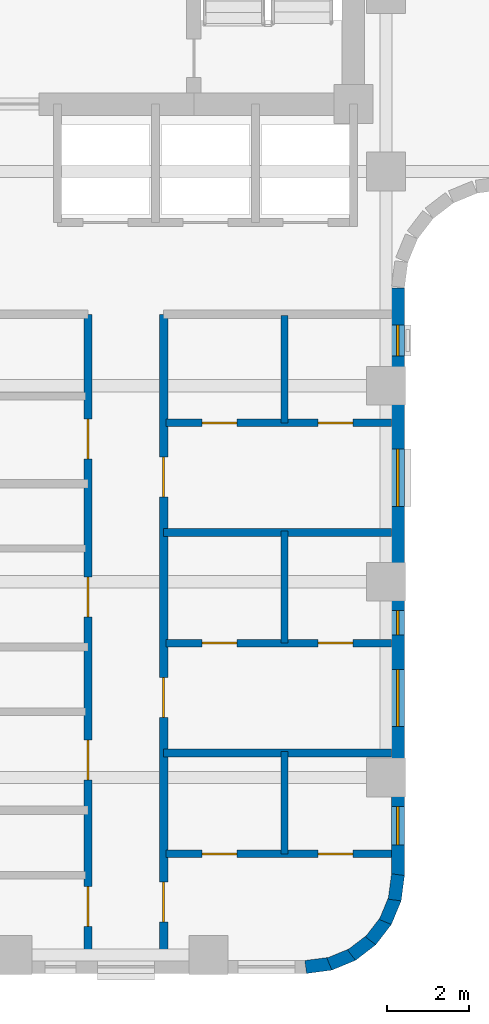
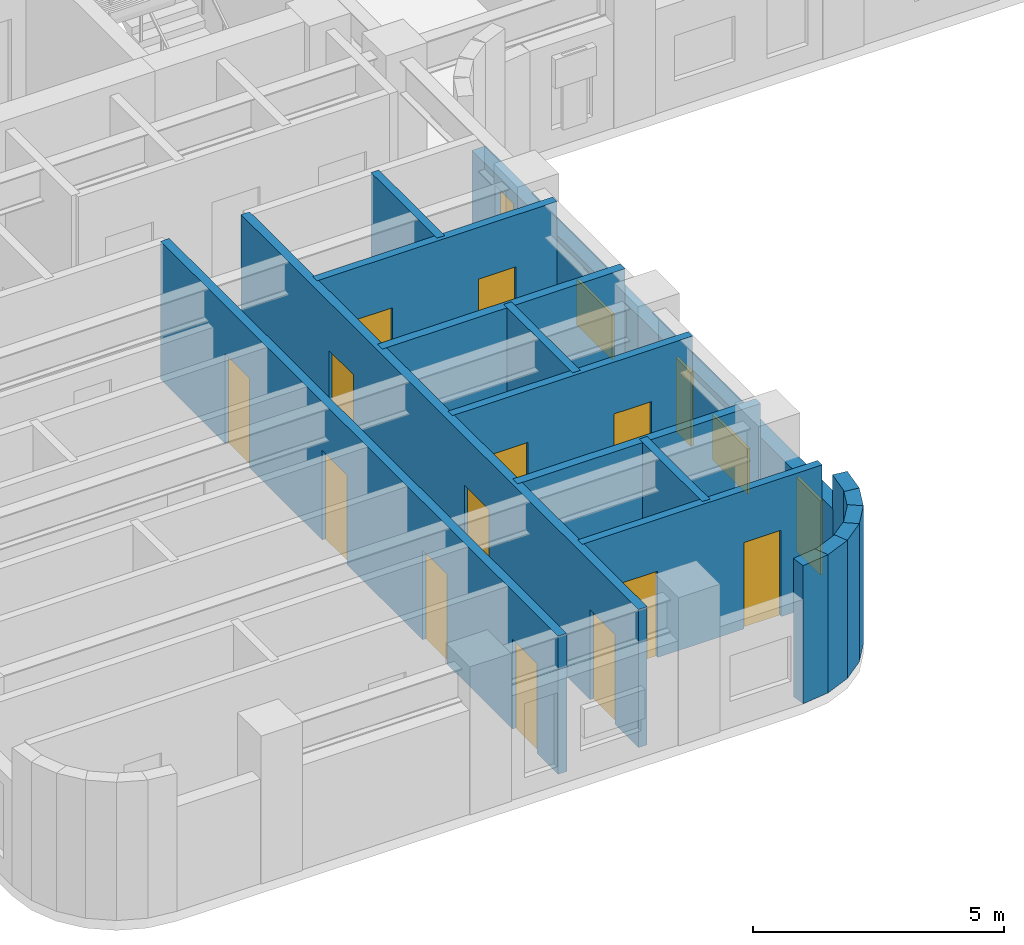
# One storey, part 3 of 10: 17 walls, 13 doors, 5 windows, 18 openings.
"""IFC4 building model written with IfcOpenShell, lengths in metres."""

from ifc_helpers import new_model, si_unit, direction, frame, frame_2d, origin, place, context, subcontext, project, spatial, rectangle, extrude, material, layer, layer_set, type_object, element, fill, save


model = new_model("IFC4")

# Units and contexts
model_context = context("Model", 3, precision=1e-05, world=origin(), true_north=direction((0.0, 1.0)))
body_context = subcontext(model_context, "Body", "Model", "MODEL_VIEW")
ifc_project = project(units=[si_unit("LENGTHUNIT", "METRE"), si_unit("AREAUNIT", "SQUARE_METRE"), si_unit("VOLUMEUNIT", "CUBIC_METRE"), si_unit("PLANEANGLEUNIT", "RADIAN"), si_unit("MASSUNIT", "GRAM", prefix="KILO")], contexts=[model_context])

# Site, building, storey
site_placement = place(None, origin())
site = spatial("IfcSite", under=ifc_project, at=site_placement, CompositionType="ELEMENT")
building_placement = place(site_placement, origin())
building = spatial("IfcBuilding", under=site, at=building_placement, Name="Orvandelia Arch Residences", CompositionType="ELEMENT")
storey_placement = place(building_placement, frame((0.0, 0.0, 110.800048828125)))
storey = spatial("IfcBuildingStorey", under=building, at=storey_placement, Name="L28", CompositionType="ELEMENT", Elevation=110.800048828125)

# Wall, openings, doors
ifc_material_1 = material(Name="Fire-Rated Corridor Partition")
ifc_layer_1 = layer(ifc_material_1, 0.199951171875, Name="Fire-Rated Corridor Partition")
ifc_layer_set_1 = layer_set([ifc_layer_1], Name="Fire-Rated Corridor Partition")
wall_type_1 = type_object("IfcWallType", Name="WL-CORR-200", PredefinedType="PARTITIONING", material=ifc_layer_set_1)
wall_1_placement = place(storey_placement, frame((16.25, 9.919921875, 0.0), z_axis=(0.0, 0.0, 1.0), x_axis=(0.0, 1.0, 0.0)))
wall_1 = element("IfcWall", 1, at=wall_1_placement, inside=storey, type_object=wall_type_1, Name="Interior Partition Wall WL-L28-WC-W", PredefinedType="PARTITIONING", context=body_context, shape_type="SweptSolid", body=[
    extrude(rectangle(XDim=15.830078125, YDim=0.199951171875, at=frame_2d((7.9150390625, 0.0))), origin(), (0.0, 0.0, 1.0), 3.35986328125),
])
opening_1_placement = place(wall_1_placement, frame((0.8349609375, 0.0, 0.0)))
opening_1 = element("IfcOpeningElement", 2, at=opening_1_placement, cuts=wall_1, Name="Opening D1", PredefinedType="OPENING", context=body_context, shape_type="SweptSolid", body=[
    extrude(rectangle(XDim=0.97998046875, YDim=2.179931640625, at=frame_2d((0.489990234375, 1.08984375))), frame((0.0, 0.10986328125, 0.0), z_axis=(0.0, -1.0, 0.0), x_axis=(1.0, 0.0, 0.0)), (0.0, 0.0, 1.0), 0.219970703125),
])
opening_2_placement = place(wall_1_placement, frame((4.4150390625, 0.0, 0.0)))
opening_2 = element("IfcOpeningElement", 3, at=opening_2_placement, cuts=wall_1, Name="Opening D1", PredefinedType="OPENING", context=body_context, shape_type="SweptSolid", body=[
    extrude(rectangle(XDim=0.97998046875, YDim=2.179931640625, at=frame_2d((0.489990234375, 1.08984375))), frame((0.0, 0.10986328125, 0.0), z_axis=(0.0, -1.0, 0.0), x_axis=(1.0, 0.0, 0.0)), (0.0, 0.0, 1.0), 0.219970703125),
])
opening_3_placement = place(wall_1_placement, frame((8.4150390625, 0.0, 0.0)))
opening_3 = element("IfcOpeningElement", 4, at=opening_3_placement, cuts=wall_1, Name="Opening D1", PredefinedType="OPENING", context=body_context, shape_type="SweptSolid", body=[
    extrude(rectangle(XDim=0.97998046875, YDim=2.179931640625, at=frame_2d((0.489990234375, 1.08984375))), frame((0.0, 0.10986328125, 0.0), z_axis=(0.0, -1.0, 0.0), x_axis=(1.0, 0.0, 0.0)), (0.0, 0.0, 1.0), 0.219970703125),
])
opening_4_placement = place(wall_1_placement, frame((12.280029296875, 0.0, 0.0)))
opening_4 = element("IfcOpeningElement", 5, at=opening_4_placement, cuts=wall_1, Name="Opening D1", PredefinedType="OPENING", context=body_context, shape_type="SweptSolid", body=[
    extrude(rectangle(XDim=0.97998046875, YDim=2.179931640625, at=frame_2d((0.489990234375, 1.08984375))), frame((0.0, 0.10986328125, 0.0), z_axis=(0.0, -1.0, 0.0), x_axis=(1.0, 0.0, 0.0)), (0.0, 0.0, 1.0), 0.219970703125),
])
ifc_material_2 = material(Name="Solid-Core Timber Acoustic Fire Door", Category="wood")
door_type_1 = type_object("IfcDoorType", Name="DR-ENT-980", OperationType="NOTDEFINED", PredefinedType="DOOR", material=ifc_material_2)
door_1_placement = place(opening_1_placement, origin())
door_1 = element("IfcDoor", 6, at=door_1_placement, inside=storey, type_object=door_type_1, Name="Unit L28-01 Entrance Door", OperationType="SINGLE_SWING_LEFT", OverallHeight=2.179931640625, OverallWidth=0.97998046875, PredefinedType="DOOR", context=body_context, shape_type="SweptSolid", body=[
    extrude(rectangle(XDim=0.97998046875, YDim=2.179931640625, at=frame_2d((0.489990234375, 1.08984375))), frame((0.0, 0.02490234375, 0.0), z_axis=(0.0, -1.0, 0.0), x_axis=(1.0, 0.0, 0.0)), (0.0, 0.0, 1.0), 0.050048828125),
])
fill(opening_1, door_1)
door_2_placement = place(opening_2_placement, origin())
door_2 = element("IfcDoor", 7, at=door_2_placement, inside=storey, type_object=door_type_1, Name="Unit L28-02 Entrance Door", OperationType="SINGLE_SWING_RIGHT", OverallHeight=2.179931640625, OverallWidth=0.97998046875, PredefinedType="DOOR", context=body_context, shape_type="SweptSolid", body=[
    extrude(rectangle(XDim=0.97998046875, YDim=2.179931640625, at=frame_2d((0.489990234375, 1.08984375))), frame((0.0, 0.02490234375, 0.0), z_axis=(0.0, -1.0, 0.0), x_axis=(1.0, 0.0, 0.0)), (0.0, 0.0, 1.0), 0.050048828125),
])
fill(opening_2, door_2)
door_3_placement = place(opening_3_placement, origin())
door_3 = element("IfcDoor", 8, at=door_3_placement, inside=storey, type_object=door_type_1, Name="Unit L28-03 Entrance Door", OperationType="SINGLE_SWING_LEFT", OverallHeight=2.179931640625, OverallWidth=0.97998046875, PredefinedType="DOOR", context=body_context, shape_type="SweptSolid", body=[
    extrude(rectangle(XDim=0.97998046875, YDim=2.179931640625, at=frame_2d((0.489990234375, 1.08984375))), frame((0.0, 0.02490234375, 0.0), z_axis=(0.0, -1.0, 0.0), x_axis=(1.0, 0.0, 0.0)), (0.0, 0.0, 1.0), 0.050048828125),
])
fill(opening_3, door_3)
door_4_placement = place(opening_4_placement, origin())
door_4 = element("IfcDoor", 9, at=door_4_placement, inside=storey, type_object=door_type_1, Name="Unit L28-04 Entrance Door", OperationType="SINGLE_SWING_RIGHT", OverallHeight=2.179931640625, OverallWidth=0.97998046875, PredefinedType="DOOR", context=body_context, shape_type="SweptSolid", body=[
    extrude(rectangle(XDim=0.97998046875, YDim=2.179931640625, at=frame_2d((0.489990234375, 1.08984375))), frame((0.0, 0.02490234375, 0.0), z_axis=(0.0, -1.0, 0.0), x_axis=(1.0, 0.0, 0.0)), (0.0, 0.0, 1.0), 0.050048828125),
])
fill(opening_4, door_4)

wall_2_placement = place(storey_placement, frame((18.10009765625, 9.919921875, 0.0), z_axis=(0.0, 0.0, 1.0), x_axis=(0.0, 1.0, 0.0)))
wall_2 = element("IfcWall", 10, at=wall_2_placement, inside=storey, type_object=wall_type_1, Name="Interior Partition Wall WL-L28-WC-E", PredefinedType="PARTITIONING", context=body_context, shape_type="SweptSolid", body=[
    extrude(rectangle(XDim=15.830078125, YDim=0.199951171875, at=frame_2d((7.9150390625, 0.0))), origin(), (0.0, 0.0, 1.0), 3.35986328125),
])
opening_5_placement = place(wall_2_placement, frame((0.946044921875, 0.0, 0.0)))
opening_5 = element("IfcOpeningElement", 11, at=opening_5_placement, cuts=wall_2, Name="Opening D1", PredefinedType="OPENING", context=body_context, shape_type="SweptSolid", body=[
    extrude(rectangle(XDim=0.97998046875, YDim=2.179931640625, at=frame_2d((0.489990234375, 1.08984375))), frame((0.0, 0.10986328125, 0.0), z_axis=(0.0, -1.0, 0.0), x_axis=(1.0, 0.0, 0.0)), (0.0, 0.0, 1.0), 0.219970703125),
])
opening_6_placement = place(wall_2_placement, frame((5.9560546875, 0.0, 0.0)))
opening_6 = element("IfcOpeningElement", 12, at=opening_6_placement, cuts=wall_2, Name="Opening D1", PredefinedType="OPENING", context=body_context, shape_type="SweptSolid", body=[
    extrude(rectangle(XDim=0.97998046875, YDim=2.179931640625, at=frame_2d((0.489990234375, 1.08984375))), frame((0.0, 0.10986328125, 0.0), z_axis=(0.0, -1.0, 0.0), x_axis=(1.0, 0.0, 0.0)), (0.0, 0.0, 1.0), 0.219970703125),
])
opening_7_placement = place(wall_2_placement, frame((11.35595703125, 0.0, 0.0)))
opening_7 = element("IfcOpeningElement", 13, at=opening_7_placement, cuts=wall_2, Name="Opening D1", PredefinedType="OPENING", context=body_context, shape_type="SweptSolid", body=[
    extrude(rectangle(XDim=0.97998046875, YDim=2.179931640625, at=frame_2d((0.489990234375, 1.08984375))), frame((0.0, 0.10986328125, 0.0), z_axis=(0.0, -1.0, 0.0), x_axis=(1.0, 0.0, 0.0)), (0.0, 0.0, 1.0), 0.219970703125),
])
door_5_placement = place(opening_5_placement, origin())
door_5 = element("IfcDoor", 14, at=door_5_placement, inside=storey, type_object=door_type_1, Name="Unit L28-05 Entrance Door", OperationType="SINGLE_SWING_LEFT", OverallHeight=2.179931640625, OverallWidth=0.97998046875, PredefinedType="DOOR", context=body_context, shape_type="SweptSolid", body=[
    extrude(rectangle(XDim=0.97998046875, YDim=2.179931640625, at=frame_2d((0.489990234375, 1.08984375))), frame((0.0, 0.02490234375, 0.0), z_axis=(0.0, -1.0, 0.0), x_axis=(1.0, 0.0, 0.0)), (0.0, 0.0, 1.0), 0.050048828125),
])
fill(opening_5, door_5)
door_6_placement = place(opening_6_placement, origin())
door_6 = element("IfcDoor", 15, at=door_6_placement, inside=storey, type_object=door_type_1, Name="Unit L28-06 Entrance Door", OperationType="SINGLE_SWING_RIGHT", OverallHeight=2.179931640625, OverallWidth=0.97998046875, PredefinedType="DOOR", context=body_context, shape_type="SweptSolid", body=[
    extrude(rectangle(XDim=0.97998046875, YDim=2.179931640625, at=frame_2d((0.489990234375, 1.08984375))), frame((0.0, 0.02490234375, 0.0), z_axis=(0.0, -1.0, 0.0), x_axis=(1.0, 0.0, 0.0)), (0.0, 0.0, 1.0), 0.050048828125),
])
fill(opening_6, door_6)
door_7_placement = place(opening_7_placement, origin())
door_7 = element("IfcDoor", 16, at=door_7_placement, inside=storey, type_object=door_type_1, Name="Unit L28-07 Entrance Door", OperationType="SINGLE_SWING_LEFT", OverallHeight=2.179931640625, OverallWidth=0.97998046875, PredefinedType="DOOR", context=body_context, shape_type="SweptSolid", body=[
    extrude(rectangle(XDim=0.97998046875, YDim=2.179931640625, at=frame_2d((0.489990234375, 1.08984375))), frame((0.0, 0.02490234375, 0.0), z_axis=(0.0, -1.0, 0.0), x_axis=(1.0, 0.0, 0.0)), (0.0, 0.0, 1.0), 0.050048828125),
])
fill(opening_7, door_7)

# Walls
ifc_material_3 = material(Name="Concrete C40/50", Category="concrete")
ifc_layer_2 = layer(ifc_material_3, 0.199951171875, Name="Concrete C40/50", Category="concrete")
ifc_layer_set_2 = layer_set([ifc_layer_2], Name="Concrete C40/50")
wall_type_2 = type_object("IfcWallType", Name="WL-DEM-200", PredefinedType="SOLIDWALL", material=ifc_layer_set_2)
for number, where, z_axis, x_axis, name in (
    (17, (18.10009765625, 15.0, 0.0), (0.0, 0.0, 1.0), (1.0, 0.0, 0.0), "Interior Partition Wall WL-L28-DEM-WR-150"),
    (18, (18.10009765625, 20.39990234375, 0.0), (0.0, 0.0, 1.0), (1.0, 0.0, 0.0), "Interior Partition Wall WL-L28-DEM-WR-204"),
):
    element("IfcWall", number, at=place(storey_placement, frame(where, z_axis=z_axis, x_axis=x_axis)), inside=storey, type_object=wall_type_2, Name=name, PredefinedType="SOLIDWALL", context=body_context, shape_type="SweptSolid", body=[
        extrude(rectangle(XDim=5.579833984375, YDim=0.199951171875, at=frame_2d((2.7900390625, 0.0))), origin(), (0.0, 0.0, 1.0), 3.35986328125),
    ])

# Wall, openings, windows
ifc_material_4 = material(Name="Precast concrete C40/50", Category="concrete")
ifc_layer_3 = layer(ifc_material_4, 0.320068359375, Name="Precast concrete C40/50", Category="concrete")
ifc_layer_set_3 = layer_set([ifc_layer_3], Name="Precast concrete C40/50")
wall_type_3 = type_object("IfcWallType", Name="WL-EXT-STONE-320", PredefinedType="STANDARD", material=ifc_layer_set_3)
wall_3_placement = place(storey_placement, frame((23.840087890625, 26.39990234375, 0.0), z_axis=(0.0, 0.0, 1.0), x_axis=(0.0, -1.0, 0.0)))
wall_3 = element("IfcWall", 19, at=wall_3_placement, inside=storey, type_object=wall_type_3, Name="Coral-Limestone Precast Facade Wall L28-028", PredefinedType="STANDARD", context=body_context, shape_type="SweptSolid", body=[
    extrude(rectangle(XDim=14.39990234375, YDim=0.320068359375, at=frame_2d((7.199951171875, 0.0))), origin(), (0.0, 0.0, 1.0), 2.5400390625),
])
opening_8_placement = place(wall_3_placement, frame((9.35400390625, 0.0, 0.64990234375)))
opening_8 = element("IfcOpeningElement", 20, at=opening_8_placement, cuts=wall_3, Name="Opening W10", PredefinedType="OPENING", context=body_context, shape_type="SweptSolid", body=[
    extrude(rectangle(XDim=1.39990234375, YDim=1.10009765625, at=frame_2d((0.699951171875, 0.550048828125))), frame((0.0, 0.169921875, 0.0), z_axis=(0.0, -1.0, 0.0), x_axis=(1.0, 0.0, 0.0)), (0.0, 0.0, 1.0), 0.340087890625),
])
opening_9_placement = place(wall_3_placement, frame((3.9541015625, 0.0, 0.64990234375)))
opening_9 = element("IfcOpeningElement", 21, at=opening_9_placement, cuts=wall_3, Name="Opening W10", PredefinedType="OPENING", context=body_context, shape_type="SweptSolid", body=[
    extrude(rectangle(XDim=1.39990234375, YDim=1.10009765625, at=frame_2d((0.699951171875, 0.550048828125))), frame((0.0, 0.169921875, 0.0), z_axis=(0.0, -1.0, 0.0), x_axis=(1.0, 0.0, 0.0)), (0.0, 0.0, 1.0), 0.340087890625),
])
opening_10_placement = place(wall_3_placement, frame((12.70654296875, 0.0, 0.449951171875)))
opening_10 = element("IfcOpeningElement", 22, at=opening_10_placement, cuts=wall_3, Name="Opening W4", PredefinedType="OPENING", context=body_context, shape_type="SweptSolid", body=[
    extrude(rectangle(XDim=0.949951171875, YDim=1.800048828125, at=frame_2d((0.47509765625, 0.89990234375))), frame((0.0, 0.169921875, 0.0), z_axis=(0.0, -1.0, 0.0), x_axis=(1.0, 0.0, 0.0)), (0.0, 0.0, 1.0), 0.340087890625),
])
opening_11_placement = place(wall_3_placement, frame((7.901611328125, 0.0, 0.449951171875)))
opening_11 = element("IfcOpeningElement", 23, at=opening_11_placement, cuts=wall_3, Name="Opening W12", PredefinedType="OPENING", context=body_context, shape_type="SweptSolid", body=[
    extrude(rectangle(XDim=0.60009765625, YDim=1.800048828125, at=frame_2d((0.300048828125, 0.89990234375))), frame((0.0, 0.169921875, 0.0), z_axis=(0.0, -1.0, 0.0), x_axis=(1.0, 0.0, 0.0)), (0.0, 0.0, 1.0), 0.340087890625),
])
opening_12_placement = place(wall_3_placement, frame((0.91748046875, 0.0, 0.449951171875)))
opening_12 = element("IfcOpeningElement", 24, at=opening_12_placement, cuts=wall_3, Name="Opening W11", PredefinedType="OPENING", context=body_context, shape_type="SweptSolid", body=[
    extrude(rectangle(XDim=0.75, YDim=1.800048828125, at=frame_2d((0.375, 0.89990234375))), frame((0.0, 0.169921875, 0.0), z_axis=(0.0, -1.0, 0.0), x_axis=(1.0, 0.0, 0.0)), (0.0, 0.0, 1.0), 0.340087890625),
])
ifc_material_5 = material(Name="Tempered Low-E Insulated Glazing", Category="glass")
window_type_1 = type_object("IfcWindowType", Name="WIN-BED-0750x1800", PartitioningType="SINGLE_PANEL", PredefinedType="WINDOW", material=ifc_material_5)
window_1_placement = place(opening_12_placement, origin())
window_1 = element("IfcWindow", 25, at=window_1_placement, inside=storey, type_object=window_type_1, Name="Recessed Punched Window L28-018", OverallHeight=1.800048828125, OverallWidth=0.75, PartitioningType="SINGLE_PANEL", PredefinedType="WINDOW", context=body_context, shape_type="SweptSolid", body=[
    extrude(rectangle(XDim=0.75, YDim=1.800048828125, at=frame_2d((0.375, 0.89990234375))), frame((0.0, 0.030029296875, 0.0), z_axis=(0.0, -1.0, 0.0), x_axis=(1.0, 0.0, 0.0)), (0.0, 0.0, 1.0), 0.06005859375),
])
fill(opening_12, window_1)
window_type_2 = type_object("IfcWindowType", Name="WIN-CLR-1400x1100", PartitioningType="SINGLE_PANEL", PredefinedType="WINDOW", material=ifc_material_5)
window_2_placement = place(opening_8_placement, origin())
window_2 = element("IfcWindow", 26, at=window_2_placement, inside=storey, type_object=window_type_2, Name="Recessed Punched Window L28-014", OverallHeight=1.10009765625, OverallWidth=1.39990234375, PartitioningType="SINGLE_PANEL", PredefinedType="WINDOW", context=body_context, shape_type="SweptSolid", body=[
    extrude(rectangle(XDim=1.39990234375, YDim=1.10009765625, at=frame_2d((0.699951171875, 0.550048828125))), frame((0.0, 0.030029296875, 0.0), z_axis=(0.0, -1.0, 0.0), x_axis=(1.0, 0.0, 0.0)), (0.0, 0.0, 1.0), 0.06005859375),
])
fill(opening_8, window_2)
window_3_placement = place(opening_9_placement, origin())
window_3 = element("IfcWindow", 27, at=window_3_placement, inside=storey, type_object=window_type_2, Name="Recessed Punched Window L28-015", OverallHeight=1.10009765625, OverallWidth=1.39990234375, PartitioningType="SINGLE_PANEL", PredefinedType="WINDOW", context=body_context, shape_type="SweptSolid", body=[
    extrude(rectangle(XDim=1.39990234375, YDim=1.10009765625, at=frame_2d((0.699951171875, 0.550048828125))), frame((0.0, 0.030029296875, 0.0), z_axis=(0.0, -1.0, 0.0), x_axis=(1.0, 0.0, 0.0)), (0.0, 0.0, 1.0), 0.06005859375),
])
fill(opening_9, window_3)
window_type_3 = type_object("IfcWindowType", Name="WIN-LAN-0600x1800", PartitioningType="SINGLE_PANEL", PredefinedType="WINDOW", material=ifc_material_5)
window_4_placement = place(opening_11_placement, origin())
window_4 = element("IfcWindow", 28, at=window_4_placement, inside=storey, type_object=window_type_3, Name="Recessed Punched Window L28-017", OverallHeight=1.800048828125, OverallWidth=0.60009765625, PartitioningType="SINGLE_PANEL", PredefinedType="WINDOW", context=body_context, shape_type="SweptSolid", body=[
    extrude(rectangle(XDim=0.60009765625, YDim=1.800048828125, at=frame_2d((0.300048828125, 0.89990234375))), frame((0.0, 0.030029296875, 0.0), z_axis=(0.0, -1.0, 0.0), x_axis=(1.0, 0.0, 0.0)), (0.0, 0.0, 1.0), 0.06005859375),
])
fill(opening_11, window_4)
window_type_4 = type_object("IfcWindowType", Name="WIN-RES-0950x1800", PartitioningType="SINGLE_PANEL", PredefinedType="WINDOW", material=ifc_material_5)
window_5_placement = place(opening_10_placement, origin())
window_5 = element("IfcWindow", 29, at=window_5_placement, inside=storey, type_object=window_type_4, Name="Recessed Punched Window L28-016", OverallHeight=1.800048828125, OverallWidth=0.949951171875, PartitioningType="SINGLE_PANEL", PredefinedType="WINDOW", context=body_context, shape_type="SweptSolid", body=[
    extrude(rectangle(XDim=0.949951171875, YDim=1.800048828125, at=frame_2d((0.47509765625, 0.89990234375))), frame((0.0, 0.030029296875, 0.0), z_axis=(0.0, -1.0, 0.0), x_axis=(1.0, 0.0, 0.0)), (0.0, 0.0, 1.0), 0.06005859375),
])
fill(opening_10, window_5)

# Walls
wall_4_placement = place(storey_placement, frame((23.84130859375, 12.02099609375, 0.0), z_axis=(0.0, 0.0, 1.0), x_axis=(-0.130504898859, -0.991447664465, 0.0)))
element("IfcWall", 30, at=wall_4_placement, inside=storey, type_object=wall_type_3, Name="Coral-Limestone Precast Facade Wall L28-029", PredefinedType="STANDARD", context=body_context, shape_type="SweptSolid", body=[
    extrude(rectangle(XDim=0.626708984375, YDim=0.320068359375, at=frame_2d((0.3134765625, 0.0))), origin(), (0.0, 0.0, 1.0), 3.35986328125),
])
for number, where, z_axis, x_axis, name in (
    (31, (23.7705078125, 11.43994140625, 0.0), (0.0, 0.0, 1.0), (-0.382650053678, -0.92389335771, 0.0), "Coral-Limestone Precast Facade Wall L28-030"),
    (32, (23.551513671875, 10.8974609375, 0.0), (0.0, 0.0, 1.0), (-0.608693302629, -0.793405610854, 0.0), "Coral-Limestone Precast Facade Wall L28-031"),
    (33, (23.19970703125, 10.4296875, 0.0), (0.0, 0.0, 1.0), (-0.793405610854, -0.608693302629, 0.0), "Coral-Limestone Precast Facade Wall L28-032"),
    (34, (22.73876953125, 10.0693359375, 0.0), (0.0, 0.0, 1.0), (-0.92389335771, -0.382650053678, 0.0), "Coral-Limestone Precast Facade Wall L28-033"),
    (35, (22.2001953125, 9.84033203125, 0.0), (0.0, 0.0, 1.0), (-0.9914410257, -0.130555323746, 0.0), "Coral-Limestone Precast Facade Wall L28-034"),
):
    element("IfcWall", number, at=place(storey_placement, frame(where, z_axis=z_axis, x_axis=x_axis)), inside=storey, type_object=wall_type_3, Name=name, PredefinedType="STANDARD", context=body_context, shape_type="SweptSolid", body=[
        extrude(rectangle(XDim=0.62646484375, YDim=0.320068359375, at=frame_2d((0.313232421875, 0.0))), origin(), (0.0, 0.0, 1.0), 3.35986328125),
    ])

# Wall, openings, doors
ifc_material_6 = material(Name="Moisture-Resistant Plumbing Wall")
ifc_layer_4 = layer(ifc_material_6, 0.179931640625, Name="Moisture-Resistant Plumbing Wall")
ifc_layer_set_4 = layer_set([ifc_layer_4], Name="Moisture-Resistant Plumbing Wall")
wall_type_4 = type_object("IfcWallType", Name="WL-WET-180", PredefinedType="PLUMBINGWALL", material=ifc_layer_set_4)
wall_5_placement = place(storey_placement, frame((18.159912109375, 12.531982421875, 0.0), z_axis=(0.0, 0.0, 1.0), x_axis=(1.0, 0.0, 0.0)))
wall_5 = element("IfcWall", 36, at=wall_5_placement, inside=storey, type_object=wall_type_4, Name="Interior Partition Wall WL-L28-U05-HZ", PredefinedType="PLUMBINGWALL", context=body_context, shape_type="SweptSolid", body=[
    extrude(rectangle(XDim=5.52001953125, YDim=0.179931640625, at=frame_2d((2.760009765625, 0.0))), origin(), (0.0, 0.0, 1.0), 3.35986328125),
])
opening_13_placement = place(wall_5_placement, frame((0.8759765625, 0.0, 0.0)))
opening_13 = element("IfcOpeningElement", 37, at=opening_13_placement, cuts=wall_5, Name="Opening D4", PredefinedType="OPENING", context=body_context, shape_type="SweptSolid", body=[
    extrude(rectangle(XDim=0.860107421875, YDim=2.10009765625, at=frame_2d((0.43017578125, 1.050048828125))), frame((0.0, 0.10009765625, 0.0), z_axis=(0.0, -1.0, 0.0), x_axis=(1.0, 0.0, 0.0)), (0.0, 0.0, 1.0), 0.199951171875),
])
opening_14_placement = place(wall_5_placement, frame((3.716064453125, 0.0, 0.0)))
opening_14 = element("IfcOpeningElement", 38, at=opening_14_placement, cuts=wall_5, Name="Opening D4", PredefinedType="OPENING", context=body_context, shape_type="SweptSolid", body=[
    extrude(rectangle(XDim=0.860107421875, YDim=2.10009765625, at=frame_2d((0.43017578125, 1.050048828125))), frame((0.0, 0.10009765625, 0.0), z_axis=(0.0, -1.0, 0.0), x_axis=(1.0, 0.0, 0.0)), (0.0, 0.0, 1.0), 0.199951171875),
])
ifc_material_7 = material(Name="Moisture-Sealed Timber Bathroom Door", Category="wood")
door_type_2 = type_object("IfcDoorType", Name="DR-WET-900", OperationType="NOTDEFINED", PredefinedType="DOOR", material=ifc_material_7)
door_8_placement = place(opening_13_placement, origin())
door_8 = element("IfcDoor", 39, at=door_8_placement, inside=storey, type_object=door_type_2, Name="DR-L28-U05-KIT", OperationType="SINGLE_SWING_LEFT", OverallHeight=2.10009765625, OverallWidth=0.860107421875, PredefinedType="DOOR", context=body_context, shape_type="SweptSolid", body=[
    extrude(rectangle(XDim=0.860107421875, YDim=2.10009765625, at=frame_2d((0.43017578125, 1.050048828125))), frame((0.0, 0.02490234375, 0.0), z_axis=(0.0, -1.0, 0.0), x_axis=(1.0, 0.0, 0.0)), (0.0, 0.0, 1.0), 0.050048828125),
])
fill(opening_13, door_8)
door_9_placement = place(opening_14_placement, origin())
door_9 = element("IfcDoor", 40, at=door_9_placement, inside=storey, type_object=door_type_2, Name="DR-L28-U05-BTH", OperationType="SINGLE_SWING_RIGHT", OverallHeight=2.10009765625, OverallWidth=0.860107421875, PredefinedType="DOOR", context=body_context, shape_type="SweptSolid", body=[
    extrude(rectangle(XDim=0.860107421875, YDim=2.10009765625, at=frame_2d((0.43017578125, 1.050048828125))), frame((0.0, 0.02490234375, 0.0), z_axis=(0.0, -1.0, 0.0), x_axis=(1.0, 0.0, 0.0)), (0.0, 0.0, 1.0), 0.050048828125),
])
fill(opening_14, door_9)

# Wall
wall_6_placement = place(storey_placement, frame((21.06201171875, 12.531982421875, 0.0), z_axis=(0.0, 0.0, 1.0), x_axis=(0.0, 1.0, 0.0)))
element("IfcWall", 41, at=wall_6_placement, inside=storey, type_object=wall_type_4, Name="Interior Partition Wall WL-L28-U05-V1", PredefinedType="PLUMBINGWALL", context=body_context, shape_type="SweptSolid", body=[
    extrude(rectangle(XDim=2.508056640625, YDim=0.179931640625, at=frame_2d((1.25390625, 0.0))), origin(), (0.0, 0.0, 1.0), 3.35986328125),
])

# Wall, openings, doors
wall_7_placement = place(storey_placement, frame((18.159912109375, 17.69189453125, 0.0), z_axis=(0.0, 0.0, 1.0), x_axis=(1.0, 0.0, 0.0)))
wall_7 = element("IfcWall", 42, at=wall_7_placement, inside=storey, type_object=wall_type_4, Name="Interior Partition Wall WL-L28-U06-HZ", PredefinedType="PLUMBINGWALL", context=body_context, shape_type="SweptSolid", body=[
    extrude(rectangle(XDim=5.52001953125, YDim=0.179931640625, at=frame_2d((2.760009765625, 0.0))), origin(), (0.0, 0.0, 1.0), 3.35986328125),
])
opening_15_placement = place(wall_7_placement, frame((0.8759765625, 0.0, 0.0)))
opening_15 = element("IfcOpeningElement", 43, at=opening_15_placement, cuts=wall_7, Name="Opening D4", PredefinedType="OPENING", context=body_context, shape_type="SweptSolid", body=[
    extrude(rectangle(XDim=0.860107421875, YDim=2.10009765625, at=frame_2d((0.43017578125, 1.050048828125))), frame((0.0, 0.10009765625, 0.0), z_axis=(0.0, -1.0, 0.0), x_axis=(1.0, 0.0, 0.0)), (0.0, 0.0, 1.0), 0.199951171875),
])
opening_16_placement = place(wall_7_placement, frame((3.716064453125, 0.0, 0.0)))
opening_16 = element("IfcOpeningElement", 44, at=opening_16_placement, cuts=wall_7, Name="Opening D4", PredefinedType="OPENING", context=body_context, shape_type="SweptSolid", body=[
    extrude(rectangle(XDim=0.860107421875, YDim=2.10009765625, at=frame_2d((0.43017578125, 1.050048828125))), frame((0.0, 0.10009765625, 0.0), z_axis=(0.0, -1.0, 0.0), x_axis=(1.0, 0.0, 0.0)), (0.0, 0.0, 1.0), 0.199951171875),
])
door_10_placement = place(opening_15_placement, origin())
door_10 = element("IfcDoor", 45, at=door_10_placement, inside=storey, type_object=door_type_2, Name="DR-L28-U06-KIT", OperationType="SINGLE_SWING_RIGHT", OverallHeight=2.10009765625, OverallWidth=0.860107421875, PredefinedType="DOOR", context=body_context, shape_type="SweptSolid", body=[
    extrude(rectangle(XDim=0.860107421875, YDim=2.10009765625, at=frame_2d((0.43017578125, 1.050048828125))), frame((0.0, 0.02490234375, 0.0), z_axis=(0.0, -1.0, 0.0), x_axis=(1.0, 0.0, 0.0)), (0.0, 0.0, 1.0), 0.050048828125),
])
fill(opening_15, door_10)
door_11_placement = place(opening_16_placement, origin())
door_11 = element("IfcDoor", 46, at=door_11_placement, inside=storey, type_object=door_type_2, Name="DR-L28-U06-BTH", OperationType="SINGLE_SWING_LEFT", OverallHeight=2.10009765625, OverallWidth=0.860107421875, PredefinedType="DOOR", context=body_context, shape_type="SweptSolid", body=[
    extrude(rectangle(XDim=0.860107421875, YDim=2.10009765625, at=frame_2d((0.43017578125, 1.050048828125))), frame((0.0, 0.02490234375, 0.0), z_axis=(0.0, -1.0, 0.0), x_axis=(1.0, 0.0, 0.0)), (0.0, 0.0, 1.0), 0.050048828125),
])
fill(opening_16, door_11)

# Wall
wall_8_placement = place(storey_placement, frame((21.06201171875, 17.69189453125, 0.0), z_axis=(0.0, 0.0, 1.0), x_axis=(0.0, 1.0, 0.0)))
element("IfcWall", 47, at=wall_8_placement, inside=storey, type_object=wall_type_4, Name="Interior Partition Wall WL-L28-U06-V1", PredefinedType="PLUMBINGWALL", context=body_context, shape_type="SweptSolid", body=[
    extrude(rectangle(XDim=2.748046875, YDim=0.179931640625, at=frame_2d((1.3740234375, 0.0))), origin(), (0.0, 0.0, 1.0), 3.35986328125),
])

# Wall, openings, doors
wall_9_placement = place(storey_placement, frame((18.159912109375, 23.092041015625, 0.0), z_axis=(0.0, 0.0, 1.0), x_axis=(1.0, 0.0, 0.0)))
wall_9 = element("IfcWall", 48, at=wall_9_placement, inside=storey, type_object=wall_type_4, Name="Interior Partition Wall WL-L28-U07-HZ", PredefinedType="PLUMBINGWALL", context=body_context, shape_type="SweptSolid", body=[
    extrude(rectangle(XDim=5.52001953125, YDim=0.179931640625, at=frame_2d((2.760009765625, 0.0))), origin(), (0.0, 0.0, 1.0), 3.35986328125),
])
opening_17_placement = place(wall_9_placement, frame((0.8759765625, 0.0, 0.0)))
opening_17 = element("IfcOpeningElement", 49, at=opening_17_placement, cuts=wall_9, Name="Opening D4", PredefinedType="OPENING", context=body_context, shape_type="SweptSolid", body=[
    extrude(rectangle(XDim=0.860107421875, YDim=2.10009765625, at=frame_2d((0.43017578125, 1.050048828125))), frame((0.0, 0.10009765625, 0.0), z_axis=(0.0, -1.0, 0.0), x_axis=(1.0, 0.0, 0.0)), (0.0, 0.0, 1.0), 0.199951171875),
])
opening_18_placement = place(wall_9_placement, frame((3.716064453125, 0.0, 0.0)))
opening_18 = element("IfcOpeningElement", 50, at=opening_18_placement, cuts=wall_9, Name="Opening D4", PredefinedType="OPENING", context=body_context, shape_type="SweptSolid", body=[
    extrude(rectangle(XDim=0.860107421875, YDim=2.10009765625, at=frame_2d((0.43017578125, 1.050048828125))), frame((0.0, 0.10009765625, 0.0), z_axis=(0.0, -1.0, 0.0), x_axis=(1.0, 0.0, 0.0)), (0.0, 0.0, 1.0), 0.199951171875),
])
door_12_placement = place(opening_17_placement, origin())
door_12 = element("IfcDoor", 51, at=door_12_placement, inside=storey, type_object=door_type_2, Name="DR-L28-U07-KIT", OperationType="SINGLE_SWING_LEFT", OverallHeight=2.10009765625, OverallWidth=0.860107421875, PredefinedType="DOOR", context=body_context, shape_type="SweptSolid", body=[
    extrude(rectangle(XDim=0.860107421875, YDim=2.10009765625, at=frame_2d((0.43017578125, 1.050048828125))), frame((0.0, 0.02490234375, 0.0), z_axis=(0.0, -1.0, 0.0), x_axis=(1.0, 0.0, 0.0)), (0.0, 0.0, 1.0), 0.050048828125),
])
fill(opening_17, door_12)
door_13_placement = place(opening_18_placement, origin())
door_13 = element("IfcDoor", 52, at=door_13_placement, inside=storey, type_object=door_type_2, Name="DR-L28-U07-BTH", OperationType="SINGLE_SWING_RIGHT", OverallHeight=2.10009765625, OverallWidth=0.860107421875, PredefinedType="DOOR", context=body_context, shape_type="SweptSolid", body=[
    extrude(rectangle(XDim=0.860107421875, YDim=2.10009765625, at=frame_2d((0.43017578125, 1.050048828125))), frame((0.0, 0.02490234375, 0.0), z_axis=(0.0, -1.0, 0.0), x_axis=(1.0, 0.0, 0.0)), (0.0, 0.0, 1.0), 0.050048828125),
])
fill(opening_18, door_13)

# Wall
wall_10_placement = place(storey_placement, frame((21.06201171875, 23.092041015625, 0.0), z_axis=(0.0, 0.0, 1.0), x_axis=(0.0, 1.0, 0.0)))
element("IfcWall", 53, at=wall_10_placement, inside=storey, type_object=wall_type_4, Name="Interior Partition Wall WL-L28-U07-V1", PredefinedType="PLUMBINGWALL", context=body_context, shape_type="SweptSolid", body=[
    extrude(rectangle(XDim=2.6279296875, YDim=0.179931640625, at=frame_2d((1.31396484375, 0.0))), origin(), (0.0, 0.0, 1.0), 3.35986328125),
])

save(model, "model.ifc")
